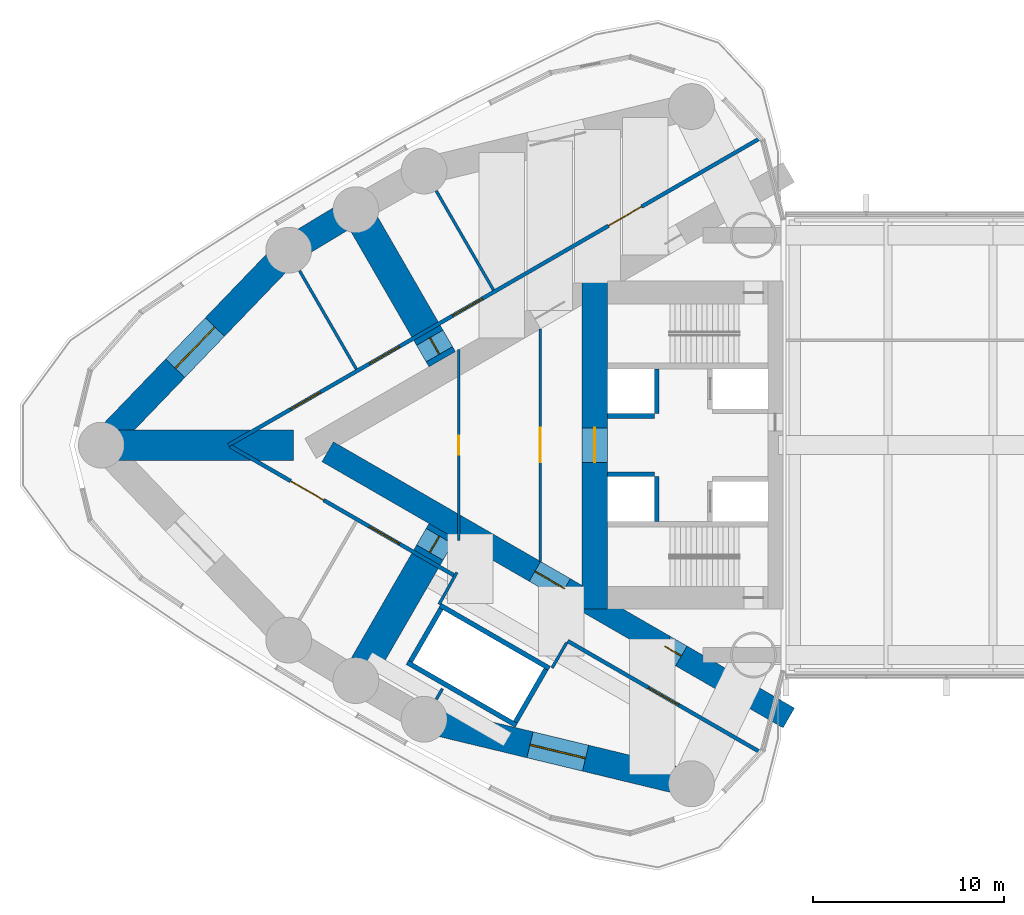
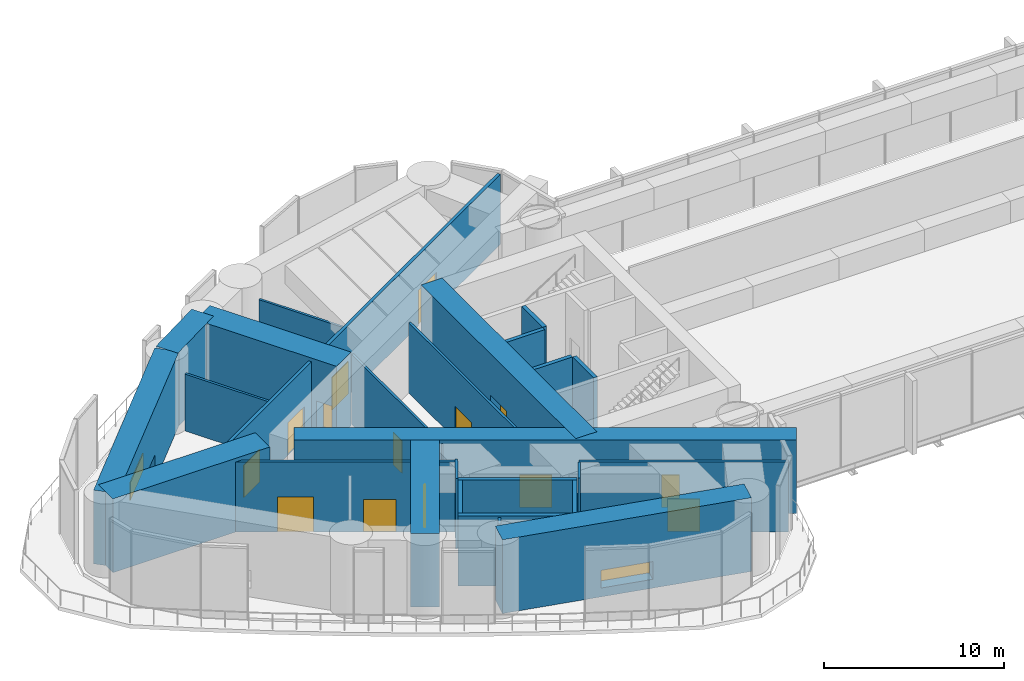
# One storey, part 15 of 22: 26 walls, 14 doors, 2 windows, 16 openings.
"""IFC4 building model written with IfcOpenShell, lengths in metres."""

from ifc_helpers import new_model, si_unit, direction, frame, frame_2d, origin, place, context, subcontext, project, spatial, rectangle, extrude, material, layer, layer_set, type_object, element, fill, save


model = new_model("IFC4")

# Units and contexts
model_context = context("Model", 3, precision=1e-05, world=origin(), true_north=direction((0.0, 1.0)))
body_context = subcontext(model_context, "Body", "Model", "MODEL_VIEW")
ifc_project = project(units=[si_unit("LENGTHUNIT", "METRE"), si_unit("AREAUNIT", "SQUARE_METRE"), si_unit("VOLUMEUNIT", "CUBIC_METRE"), si_unit("PLANEANGLEUNIT", "RADIAN"), si_unit("MASSUNIT", "GRAM", prefix="KILO")], contexts=[model_context])

# Site, building, storey
site_placement = place(None, origin())
site = spatial("IfcSite", under=ifc_project, at=site_placement, CompositionType="ELEMENT")
building_placement = place(site_placement, origin())
building = spatial("IfcBuilding", under=site, at=building_placement, Name="Lancet Gate Hotel", CompositionType="ELEMENT")
storey_placement = place(building_placement, frame((0.0, 0.0, 210.300048828125)))
storey = spatial("IfcBuildingStorey", under=building, at=storey_placement, Name="L56", CompositionType="ELEMENT", Elevation=210.300048828125)

# Wall
ifc_material_1 = material(Name="Concrete C80/95", Category="concrete")
ifc_layer_1 = layer(ifc_material_1, 1.39990234375)
ifc_layer_set_1 = layer_set([ifc_layer_1], Name="Belt wall 1400")
wall_type_1 = type_object("IfcWallType", Name="Belt wall 1400", PredefinedType="SHEAR", material=ifc_layer_set_1)
wall_1_placement = place(storey_placement, frame((-49.89013671875, 12.340087890625, 0.0), z_axis=(0.0, 0.0, 1.0), x_axis=(-0.856358061538, -0.516382484636, 0.0)))
element("IfcWall", 1, at=wall_1_placement, inside=storey, type_object=wall_type_1, Name="T1 belt wall OS2-OS3 L56", PredefinedType="SHEAR", context=body_context, shape_type="SweptSolid", body=[
    extrude(rectangle(XDim=4.107666015625, YDim=1.39990234375, at=frame_2d((2.0537109375, 0.0))), origin(), (0.0, 0.0, 1.0), 5.0),
])

# Wall, opening, window
wall_2_placement = place(storey_placement, frame((-53.40771484375, 10.218994140625, 0.0), z_axis=(0.0, 0.0, 1.0), x_axis=(-0.693134527053, -0.720808245934, 0.0)))
wall_2 = element("IfcWall", 2, at=wall_2_placement, inside=storey, type_object=wall_type_1, Name="T1 belt wall OS3-CA L56", PredefinedType="SHEAR", context=body_context, shape_type="SweptSolid", body=[
    extrude(rectangle(XDim=14.17724609375, YDim=1.39990234375, at=frame_2d((7.088623046875, 0.0))), origin(), (0.0, 0.0, 1.0), 5.0),
])
opening_1_placement = place(wall_2_placement, frame((5.588623046875, 0.0, 0.60009765625)))
opening_1 = element("IfcOpeningElement", 3, at=opening_1_placement, cuts=wall_2, Name="Opening LV1", PredefinedType="OPENING", context=body_context, shape_type="SweptSolid", body=[
    extrude(rectangle(XDim=3.0, YDim=1.199951171875, at=frame_2d((1.5, 0.60009765625))), frame((0.0, 0.7099609375, 0.0), z_axis=(0.0, -1.0, 0.0), x_axis=(1.0, 0.0, 0.0)), (0.0, 0.0, 1.0), 1.419921875),
])
ifc_material_2 = material(Name="Aluminium weather louvre", Category="aluminium")
window_type = type_object("IfcWindowType", Name="Refuge louvre 3000x1200", PartitioningType="SINGLE_PANEL", PredefinedType="WINDOW", material=ifc_material_2)
window_1_placement = place(opening_1_placement, origin())
window_1 = element("IfcWindow", 4, at=window_1_placement, inside=storey, type_object=window_type, Name="T1 belt louvre OS3-CA L56", OverallHeight=1.199951171875, OverallWidth=3.0, PartitioningType="SINGLE_PANEL", PredefinedType="WINDOW", context=body_context, shape_type="SweptSolid", body=[
    extrude(rectangle(XDim=3.0, YDim=1.199951171875, at=frame_2d((1.5, 0.60009765625))), frame((0.0, 0.030029296875, 0.0), z_axis=(0.0, -1.0, 0.0), x_axis=(1.0, 0.0, 0.0)), (0.0, 0.0, 1.0), 0.06005859375),
])
fill(opening_1, window_1)

wall_3_placement = place(storey_placement, frame((-46.316650390625, -14.365478515625, 0.0), z_axis=(0.0, 0.0, 1.0), x_axis=(0.972132796948, -0.234430853556, 0.0)))
wall_3 = element("IfcWall", 5, at=wall_3_placement, inside=storey, type_object=wall_type_1, Name="T1 belt wall ON3-CN L56", PredefinedType="SHEAR", context=body_context, shape_type="SweptSolid", body=[
    extrude(rectangle(XDim=14.41748046875, YDim=1.39990234375, at=frame_2d((7.208740234375, 0.0))), origin(), (0.0, 0.0, 1.0), 5.0),
])
opening_2_placement = place(wall_3_placement, frame((5.708740234375, 0.0, 0.60009765625)))
opening_2 = element("IfcOpeningElement", 6, at=opening_2_placement, cuts=wall_3, Name="Opening LV1", PredefinedType="OPENING", context=body_context, shape_type="SweptSolid", body=[
    extrude(rectangle(XDim=3.0, YDim=1.199951171875, at=frame_2d((1.5, 0.60009765625))), frame((0.0, 0.7099609375, 0.0), z_axis=(0.0, -1.0, 0.0), x_axis=(1.0, 0.0, 0.0)), (0.0, 0.0, 1.0), 1.419921875),
])
window_2_placement = place(opening_2_placement, origin())
window_2 = element("IfcWindow", 7, at=window_2_placement, inside=storey, type_object=window_type, Name="T1 belt louvre ON3-CN L56", OverallHeight=1.199951171875, OverallWidth=3.0, PartitioningType="SINGLE_PANEL", PredefinedType="WINDOW", context=body_context, shape_type="SweptSolid", body=[
    extrude(rectangle(XDim=3.0, YDim=1.199951171875, at=frame_2d((1.5, 0.60009765625))), frame((0.0, 0.030029296875, 0.0), z_axis=(0.0, -1.0, 0.0), x_axis=(1.0, 0.0, 0.0)), (0.0, 0.0, 1.0), 0.06005859375),
])
fill(opening_2, window_2)

# Wall, openings, doors
ifc_material_3 = material(Name="Concrete C70/85", Category="concrete")
ifc_layer_2 = layer(ifc_material_3, 1.199951171875)
ifc_layer_set_2 = layer_set([ifc_layer_2], Name="Buttress wall 1200")
wall_type_2 = type_object("IfcWallType", Name="Buttress wall 1200", PredefinedType="SHEAR", material=ifc_layer_set_2)
wall_4_placement = place(storey_placement, frame((-27.199951171875, -14.300048828125, 0.0), z_axis=(0.0, 0.0, 1.0), x_axis=(-0.866024021859, 0.500002393557, 0.0)))
wall_4 = element("IfcWall", 8, at=wall_4_placement, inside=storey, type_object=wall_type_2, Name="T1 buttress wall N L56", PredefinedType="SHEAR", context=body_context, shape_type="SweptSolid", body=[
    extrude(rectangle(XDim=27.906982421875, YDim=1.199951171875, at=frame_2d((13.95361328125, 0.0))), origin(), (0.0, 0.0, 1.0), 5.0),
])
opening_3_placement = place(wall_4_placement, frame((6.5, 0.0, 0.0)))
opening_3 = element("IfcOpeningElement", 9, at=opening_3_placement, cuts=wall_4, Name="Opening T1-L56-LN", PredefinedType="OPENING", context=body_context, shape_type="SweptSolid", body=[
    extrude(rectangle(XDim=1.0, YDim=2.199951171875, at=frame_2d((0.5, 1.10009765625))), frame((0.0, 0.60986328125, 0.0), z_axis=(0.0, -1.0, 0.0), x_axis=(1.0, 0.0, 0.0)), (0.0, 0.0, 1.0), 1.219970703125),
])
opening_4_placement = place(wall_4_placement, frame((13.567626953125, 0.0, 0.0)))
opening_4 = element("IfcOpeningElement", 10, at=opening_4_placement, cuts=wall_4, Name="Opening T1-L56-LHN", PredefinedType="OPENING", context=body_context, shape_type="SweptSolid", body=[
    extrude(rectangle(XDim=1.800048828125, YDim=2.199951171875, at=frame_2d((0.89990234375, 1.10009765625))), frame((0.0, 0.60986328125, 0.0), z_axis=(0.0, -1.0, 0.0), x_axis=(1.0, 0.0, 0.0)), (0.0, 0.0, 1.0), 1.219970703125),
])
ifc_material_4 = material(Name="Timber door set", Category="wood")
door_type_1 = type_object("IfcDoorType", Name="Lobby double door 1800", OperationType="DOUBLE_DOOR_SINGLE_SWING", PredefinedType="DOOR", material=ifc_material_4)
door_1_placement = place(opening_4_placement, origin())
door_1 = element("IfcDoor", 11, at=door_1_placement, inside=storey, type_object=door_type_1, Name="T1-L56-LHN", OperationType="DOUBLE_DOOR_SINGLE_SWING", OverallHeight=2.199951171875, OverallWidth=1.800048828125, PredefinedType="DOOR", context=body_context, shape_type="SweptSolid", body=[
    extrude(rectangle(XDim=1.800048828125, YDim=2.199951171875, at=frame_2d((0.89990234375, 1.10009765625))), frame((0.0, 0.02490234375, 0.0), z_axis=(0.0, -1.0, 0.0), x_axis=(1.0, 0.0, 0.0)), (0.0, 0.0, 1.0), 0.050048828125),
])
fill(opening_4, door_1)
ifc_material_5 = material(Name="Timber door set", Category="wood")
door_type_2 = type_object("IfcDoorType", Name="Stair lobby door 1000", OperationType="SINGLE_SWING_LEFT", PredefinedType="DOOR", material=ifc_material_5)
door_2_placement = place(opening_3_placement, origin())
door_2 = element("IfcDoor", 12, at=door_2_placement, inside=storey, type_object=door_type_2, Name="T1-L56-LN", OperationType="SINGLE_SWING_LEFT", OverallHeight=2.199951171875, OverallWidth=1.0, PredefinedType="DOOR", context=body_context, shape_type="SweptSolid", body=[
    extrude(rectangle(XDim=1.0, YDim=2.199951171875, at=frame_2d((0.5, 1.10009765625))), frame((0.0, 0.02490234375, 0.0), z_axis=(0.0, -1.0, 0.0), x_axis=(1.0, 0.0, 0.0)), (0.0, 0.0, 1.0), 0.050048828125),
])
fill(opening_3, door_2)

# Wall, opening, door
ifc_material_6 = material(Name="Concrete C70/85", Category="concrete")
ifc_layer_3 = layer(ifc_material_6, 1.35009765625)
ifc_layer_set_3 = layer_set([ifc_layer_3], Name="Core back wall 1350, outrigger storeys")
wall_type_3 = type_object("IfcWallType", Name="Core back wall 1350, outrigger storeys", PredefinedType="SHEAR", material=ifc_layer_set_3)
wall_5_placement = place(storey_placement, frame((-37.375, 8.60009765625, 0.0), z_axis=(0.0, 0.0, 1.0), x_axis=(0.0, -1.0, 0.0)))
wall_5 = element("IfcWall", 13, at=wall_5_placement, inside=storey, type_object=wall_type_3, Name="T1 core wall back L56", PredefinedType="SHEAR", context=body_context, shape_type="SweptSolid", body=[
    extrude(rectangle(XDim=17.2001953125, YDim=1.35009765625, at=frame_2d((8.60009765625, 0.0))), origin(), (0.0, 0.0, 1.0), 5.0),
])
opening_5_placement = place(wall_5_placement, frame((7.699951171875, 0.0, 0.0)))
opening_5 = element("IfcOpeningElement", 14, at=opening_5_placement, cuts=wall_5, Name="Opening T1-L56-LL", PredefinedType="OPENING", context=body_context, shape_type="SweptSolid", body=[
    extrude(rectangle(XDim=1.800048828125, YDim=2.199951171875, at=frame_2d((0.89990234375, 1.10009765625))), frame((0.0, 0.68505859375, 0.0), z_axis=(0.0, -1.0, 0.0), x_axis=(1.0, 0.0, 0.0)), (0.0, 0.0, 1.0), 1.3701171875),
])
door_3_placement = place(opening_5_placement, origin())
door_3 = element("IfcDoor", 15, at=door_3_placement, inside=storey, type_object=door_type_1, Name="T1-L56-LL", OperationType="DOUBLE_DOOR_SINGLE_SWING", OverallHeight=2.199951171875, OverallWidth=1.800048828125, PredefinedType="DOOR", context=body_context, shape_type="SweptSolid", body=[
    extrude(rectangle(XDim=1.800048828125, YDim=2.199951171875, at=frame_2d((0.89990234375, 1.10009765625))), frame((0.0, 0.02490234375, 0.0), z_axis=(0.0, -1.0, 0.0), x_axis=(1.0, 0.0, 0.0)), (0.0, 0.0, 1.0), 0.050048828125),
])
fill(opening_5, door_3)

# Wall, openings, doors
ifc_material_7 = material(Name="Gypsum board partition")
ifc_layer_4 = layer(ifc_material_7, 0.199951171875)
ifc_layer_set_4 = layer_set([ifc_layer_4], Name="Corridor wall 200")
wall_type_4 = type_object("IfcWallType", Name="Corridor wall 200", PredefinedType="PARTITIONING", material=ifc_layer_set_4)
wall_6_placement = place(storey_placement, frame((-28.737060546875, 16.068359375, 0.0), z_axis=(0.0, 0.0, 1.0), x_axis=(-0.866026057212, -0.499998868229, 0.0)))
wall_6 = element("IfcWall", 16, at=wall_6_placement, inside=storey, type_object=wall_type_4, Name="T1 corridor wall 200 L56", PredefinedType="PARTITIONING", context=body_context, shape_type="SweptSolid", body=[
    extrude(rectangle(XDim=32.13671875, YDim=0.199951171875, at=frame_2d((16.068359375, 0.0))), origin(), (0.0, 0.0, 1.0), 4.75),
])
opening_6_placement = place(wall_6_placement, frame((7.1337890625, 0.0, 0.0)))
opening_6 = element("IfcOpeningElement", 17, at=opening_6_placement, cuts=wall_6, Name="Opening T1-L56-TB01", PredefinedType="OPENING", context=body_context, shape_type="SweptSolid", body=[
    extrude(rectangle(XDim=2.0, YDim=2.39990234375, at=frame_2d((1.0, 1.199951171875))), frame((0.0, 0.10986328125, 0.0), z_axis=(0.0, -1.0, 0.0), x_axis=(1.0, 0.0, 0.0)), (0.0, 0.0, 1.0), 0.219970703125),
])
opening_7_placement = place(wall_6_placement, frame((16.775634765625, 0.0, 0.0)))
opening_7 = element("IfcOpeningElement", 18, at=opening_7_placement, cuts=wall_6, Name="Opening T1-L56-TB02", PredefinedType="OPENING", context=body_context, shape_type="SweptSolid", body=[
    extrude(rectangle(XDim=1.800048828125, YDim=2.199951171875, at=frame_2d((0.89990234375, 1.10009765625))), frame((0.0, 0.10986328125, 0.0), z_axis=(0.0, -1.0, 0.0), x_axis=(1.0, 0.0, 0.0)), (0.0, 0.0, 1.0), 0.219970703125),
])
opening_8_placement = place(wall_6_placement, frame((21.79931640625, 0.0, 0.0)))
opening_8 = element("IfcOpeningElement", 19, at=opening_8_placement, cuts=wall_6, Name="Opening T1-L56-TB03", PredefinedType="OPENING", context=body_context, shape_type="SweptSolid", body=[
    extrude(rectangle(XDim=1.800048828125, YDim=2.199951171875, at=frame_2d((0.89990234375, 1.10009765625))), frame((0.0, 0.10986328125, 0.0), z_axis=(0.0, -1.0, 0.0), x_axis=(1.0, 0.0, 0.0)), (0.0, 0.0, 1.0), 0.219970703125),
])
opening_9_placement = place(wall_6_placement, frame((26.5751953125, 0.0, 0.0)))
opening_9 = element("IfcOpeningElement", 20, at=opening_9_placement, cuts=wall_6, Name="Opening T1-L56-TB04", PredefinedType="OPENING", context=body_context, shape_type="SweptSolid", body=[
    extrude(rectangle(XDim=1.800048828125, YDim=2.199951171875, at=frame_2d((0.89990234375, 1.10009765625))), frame((0.0, 0.10986328125, 0.0), z_axis=(0.0, -1.0, 0.0), x_axis=(1.0, 0.0, 0.0)), (0.0, 0.0, 1.0), 0.219970703125),
])
ifc_material_8 = material(Name="Timber door set", Category="wood")
door_type_3 = type_object("IfcDoorType", Name="Double door 1800", OperationType="DOUBLE_DOOR_SINGLE_SWING", PredefinedType="DOOR", material=ifc_material_8)
door_4_placement = place(opening_7_placement, origin())
door_4 = element("IfcDoor", 21, at=door_4_placement, inside=storey, type_object=door_type_3, Name="T1-L56-TB02", OperationType="DOUBLE_DOOR_SINGLE_SWING", OverallHeight=2.199951171875, OverallWidth=1.800048828125, PredefinedType="DOOR", context=body_context, shape_type="SweptSolid", body=[
    extrude(rectangle(XDim=1.800048828125, YDim=2.199951171875, at=frame_2d((0.89990234375, 1.10009765625))), frame((0.0, 0.02490234375, 0.0), z_axis=(0.0, -1.0, 0.0), x_axis=(1.0, 0.0, 0.0)), (0.0, 0.0, 1.0), 0.050048828125),
])
fill(opening_7, door_4)
door_5_placement = place(opening_8_placement, origin())
door_5 = element("IfcDoor", 22, at=door_5_placement, inside=storey, type_object=door_type_3, Name="T1-L56-TB03", OperationType="DOUBLE_DOOR_SINGLE_SWING", OverallHeight=2.199951171875, OverallWidth=1.800048828125, PredefinedType="DOOR", context=body_context, shape_type="SweptSolid", body=[
    extrude(rectangle(XDim=1.800048828125, YDim=2.199951171875, at=frame_2d((0.89990234375, 1.10009765625))), frame((0.0, 0.02490234375, 0.0), z_axis=(0.0, -1.0, 0.0), x_axis=(1.0, 0.0, 0.0)), (0.0, 0.0, 1.0), 0.050048828125),
])
fill(opening_8, door_5)
door_6_placement = place(opening_9_placement, origin())
door_6 = element("IfcDoor", 23, at=door_6_placement, inside=storey, type_object=door_type_3, Name="T1-L56-TB04", OperationType="DOUBLE_DOOR_SINGLE_SWING", OverallHeight=2.199951171875, OverallWidth=1.800048828125, PredefinedType="DOOR", context=body_context, shape_type="SweptSolid", body=[
    extrude(rectangle(XDim=1.800048828125, YDim=2.199951171875, at=frame_2d((0.89990234375, 1.10009765625))), frame((0.0, 0.02490234375, 0.0), z_axis=(0.0, -1.0, 0.0), x_axis=(1.0, 0.0, 0.0)), (0.0, 0.0, 1.0), 0.050048828125),
])
fill(opening_9, door_6)
ifc_material_9 = material(Name="Timber door set", Category="wood")
door_type_4 = type_object("IfcDoorType", Name="Plant room double door 2000", OperationType="DOUBLE_DOOR_SINGLE_SWING", PredefinedType="DOOR", material=ifc_material_9)
door_7_placement = place(opening_6_placement, origin())
door_7 = element("IfcDoor", 24, at=door_7_placement, inside=storey, type_object=door_type_4, Name="T1-L56-TB01", OperationType="DOUBLE_DOOR_SINGLE_SWING", OverallHeight=2.39990234375, OverallWidth=2.0, PredefinedType="DOOR", context=body_context, shape_type="SweptSolid", body=[
    extrude(rectangle(XDim=2.0, YDim=2.39990234375, at=frame_2d((1.0, 1.199951171875))), frame((0.0, 0.02490234375, 0.0), z_axis=(0.0, -1.0, 0.0), x_axis=(1.0, 0.0, 0.0)), (0.0, 0.0, 1.0), 0.050048828125),
])
fill(opening_6, door_7)

# Wall, opening, door
wall_7_placement = place(storey_placement, frame((-28.737060546875, -16.068359375, 0.0), z_axis=(0.0, 0.0, 1.0), x_axis=(-0.866029399323, 0.49999307946, 0.0)))
wall_7 = element("IfcWall", 25, at=wall_7_placement, inside=storey, type_object=wall_type_4, Name="T1 corridor wall 200 L56", PredefinedType="PARTITIONING", context=body_context, shape_type="SweptSolid", body=[
    extrude(rectangle(XDim=11.609619140625, YDim=0.199951171875, at=frame_2d((5.8046875, 0.0))), origin(), (0.0, 0.0, 1.0), 4.75),
])
opening_10_placement = place(wall_7_placement, frame((4.90478515625, 0.0, 0.0)))
opening_10 = element("IfcOpeningElement", 26, at=opening_10_placement, cuts=wall_7, Name="Opening T1-L56-TB08", PredefinedType="OPENING", context=body_context, shape_type="SweptSolid", body=[
    extrude(rectangle(XDim=1.800048828125, YDim=2.199951171875, at=frame_2d((0.89990234375, 1.10009765625))), frame((0.0, 0.10986328125, 0.0), z_axis=(0.0, -1.0, 0.0), x_axis=(1.0, 0.0, 0.0)), (0.0, 0.0, 1.0), 0.219970703125),
])
door_8_placement = place(opening_10_placement, origin())
door_8 = element("IfcDoor", 27, at=door_8_placement, inside=storey, type_object=door_type_3, Name="T1-L56-TB08", OperationType="DOUBLE_DOOR_SINGLE_SWING", OverallHeight=2.199951171875, OverallWidth=1.800048828125, PredefinedType="DOOR", context=body_context, shape_type="SweptSolid", body=[
    extrude(rectangle(XDim=1.800048828125, YDim=2.199951171875, at=frame_2d((0.89990234375, 1.10009765625))), frame((0.0, 0.02490234375, 0.0), z_axis=(0.0, -1.0, 0.0), x_axis=(1.0, 0.0, 0.0)), (0.0, 0.0, 1.0), 0.050048828125),
])
fill(opening_10, door_8)

# Wall, openings, doors
wall_8_placement = place(storey_placement, frame((-44.715087890625, -6.843505859375, 0.0), z_axis=(0.0, 0.0, 1.0), x_axis=(-0.866025261224, 0.500000246922, 0.0)))
wall_8 = element("IfcWall", 28, at=wall_8_placement, inside=storey, type_object=wall_type_4, Name="T1 corridor wall 200 L56", PredefinedType="PARTITIONING", context=body_context, shape_type="SweptSolid", body=[
    extrude(rectangle(XDim=13.56689453125, YDim=0.199951171875, at=frame_2d((6.783447265625, 0.0))), origin(), (0.0, 0.0, 1.0), 4.75),
])
opening_11_placement = place(wall_8_placement, frame((7.925048828125, 0.0, 0.0)))
opening_11 = element("IfcOpeningElement", 29, at=opening_11_placement, cuts=wall_8, Name="Opening T1-L56-TB05", PredefinedType="OPENING", context=body_context, shape_type="SweptSolid", body=[
    extrude(rectangle(XDim=2.0, YDim=2.39990234375, at=frame_2d((1.0, 1.199951171875))), frame((0.0, 0.10986328125, 0.0), z_axis=(0.0, -1.0, 0.0), x_axis=(1.0, 0.0, 0.0)), (0.0, 0.0, 1.0), 0.219970703125),
])
opening_12_placement = place(wall_8_placement, frame((3.349365234375, 0.0, 0.0)))
opening_12 = element("IfcOpeningElement", 30, at=opening_12_placement, cuts=wall_8, Name="Opening T1-L56-TB06", PredefinedType="OPENING", context=body_context, shape_type="SweptSolid", body=[
    extrude(rectangle(XDim=1.800048828125, YDim=2.199951171875, at=frame_2d((0.89990234375, 1.10009765625))), frame((0.0, 0.10986328125, 0.0), z_axis=(0.0, -1.0, 0.0), x_axis=(1.0, 0.0, 0.0)), (0.0, 0.0, 1.0), 0.219970703125),
])
door_9_placement = place(opening_12_placement, origin())
door_9 = element("IfcDoor", 31, at=door_9_placement, inside=storey, type_object=door_type_3, Name="T1-L56-TB06", OperationType="DOUBLE_DOOR_SINGLE_SWING", OverallHeight=2.199951171875, OverallWidth=1.800048828125, PredefinedType="DOOR", context=body_context, shape_type="SweptSolid", body=[
    extrude(rectangle(XDim=1.800048828125, YDim=2.199951171875, at=frame_2d((0.89990234375, 1.10009765625))), frame((0.0, 0.02490234375, 0.0), z_axis=(0.0, -1.0, 0.0), x_axis=(1.0, 0.0, 0.0)), (0.0, 0.0, 1.0), 0.050048828125),
])
fill(opening_12, door_9)
door_10_placement = place(opening_11_placement, origin())
door_10 = element("IfcDoor", 32, at=door_10_placement, inside=storey, type_object=door_type_4, Name="T1-L56-TB05", OperationType="DOUBLE_DOOR_SINGLE_SWING", OverallHeight=2.39990234375, OverallWidth=2.0, PredefinedType="DOOR", context=body_context, shape_type="SweptSolid", body=[
    extrude(rectangle(XDim=2.0, YDim=2.39990234375, at=frame_2d((1.0, 1.199951171875))), frame((0.0, 0.02490234375, 0.0), z_axis=(0.0, -1.0, 0.0), x_axis=(1.0, 0.0, 0.0)), (0.0, 0.0, 1.0), 0.050048828125),
])
fill(opening_11, door_10)

# Walls
ifc_material_10 = material(Name="Gypsum board partition")
ifc_layer_5 = layer(ifc_material_10, 0.25)
ifc_layer_set_5 = layer_set([ifc_layer_5], Name="Lift shaft partition 250")
wall_type_5 = type_object("IfcWallType", Name="Lift shaft partition 250", PredefinedType="PARTITIONING", material=ifc_layer_set_5)
wall_9_placement = place(storey_placement, frame((-39.757568359375, -11.697265625, 0.0), z_axis=(0.0, 0.0, 1.0), x_axis=(-0.866024194504, 0.500002094529, 0.0)))
element("IfcWall", 33, at=wall_9_placement, inside=storey, type_object=wall_type_5, Name="T1 lift shaft wall HL L56", PredefinedType="PARTITIONING", context=body_context, shape_type="SweptSolid", body=[
    extrude(rectangle(XDim=6.60009765625, YDim=0.25, at=frame_2d((3.300048828125, 0.0))), origin(), (0.0, 0.0, 1.0), 4.75),
])
wall_10_placement = place(storey_placement, frame((-41.482421875, -14.685791015625, 0.0), z_axis=(0.0, 0.0, 1.0), x_axis=(-0.86603344179, 0.499986077507, 0.0)))
element("IfcWall", 34, at=wall_10_placement, inside=storey, type_object=wall_type_5, Name="T1 lift shaft wall HL L56", PredefinedType="PARTITIONING", context=body_context, shape_type="SweptSolid", body=[
    extrude(rectangle(XDim=6.600341796875, YDim=0.25, at=frame_2d((3.30029296875, 0.0))), origin(), (0.0, 0.0, 1.0), 4.75),
])
for number, where, z_axis, x_axis, name in (
    (35, (-39.92822265625, -11.742919921875, 0.0), (0.0, 0.0, 1.0), (-0.499929347863, -0.866066190972, 0.0), "T1 lift shaft wall HL L56"),
    (36, (-45.427734375, -8.568115234375, 0.0), (0.0, 0.0, 1.0), (-0.499929347863, -0.866066190972, 0.0), "T1 lift shaft wall HL L56"),
):
    element("IfcWall", number, at=place(storey_placement, frame(where, z_axis=z_axis, x_axis=x_axis)), inside=storey, type_object=wall_type_5, Name=name, PredefinedType="PARTITIONING", context=body_context, shape_type="SweptSolid", body=[
        extrude(rectangle(XDim=3.20068359375, YDim=0.25, at=frame_2d((1.600341796875, 0.0))), origin(), (0.0, 0.0, 1.0), 4.75),
    ])
ifc_material_11 = material(Name="Concrete C50/60", Category="concrete")
ifc_layer_6 = layer(ifc_material_11, 0.25)
ifc_layer_set_6 = layer_set([ifc_layer_6], Name="Lift shaft wall 250")
wall_type_6 = type_object("IfcWallType", Name="Lift shaft wall 250", PredefinedType="SHEAR", material=ifc_layer_set_6)
wall_11_placement = place(storey_placement, frame((-34.125, 4.0, 0.0), z_axis=(0.0, 0.0, 1.0), x_axis=(0.0, -1.0, 0.0)))
element("IfcWall", 37, at=wall_11_placement, inside=storey, type_object=wall_type_6, Name="T1 core wall row2-S L56", PredefinedType="SHEAR", context=body_context, shape_type="SweptSolid", body=[
    extrude(rectangle(XDim=2.35009765625, YDim=0.25, at=frame_2d((1.175048828125, 0.0))), origin(), (0.0, 0.0, 1.0), 5.0),
])
wall_12_placement = place(storey_placement, frame((-34.25, 1.52490234375, 0.0), z_axis=(0.0, 0.0, 1.0), x_axis=(-1.0, 0.0, 0.0)))
element("IfcWall", 38, at=wall_12_placement, inside=storey, type_object=wall_type_6, Name="T1 core wall pass2-S L56", PredefinedType="SHEAR", context=body_context, shape_type="SweptSolid", body=[
    extrude(rectangle(XDim=2.449951171875, YDim=0.25, at=frame_2d((1.22509765625, 0.0))), origin(), (0.0, 0.0, 1.0), 5.0),
])
wall_13_placement = place(storey_placement, frame((-34.125, -1.64990234375, 0.0), z_axis=(0.0, 0.0, 1.0), x_axis=(0.0, -1.0, 0.0)))
element("IfcWall", 39, at=wall_13_placement, inside=storey, type_object=wall_type_6, Name="T1 core wall row2-N L56", PredefinedType="SHEAR", context=body_context, shape_type="SweptSolid", body=[
    extrude(rectangle(XDim=2.35009765625, YDim=0.25, at=frame_2d((1.175048828125, 0.0))), origin(), (0.0, 0.0, 1.0), 5.0),
])
wall_14_placement = place(storey_placement, frame((-34.25, -1.52490234375, 0.0), z_axis=(0.0, 0.0, 1.0), x_axis=(-1.0, 0.0, 0.0)))
element("IfcWall", 40, at=wall_14_placement, inside=storey, type_object=wall_type_6, Name="T1 core wall pass2-N L56", PredefinedType="SHEAR", context=body_context, shape_type="SweptSolid", body=[
    extrude(rectangle(XDim=2.449951171875, YDim=0.25, at=frame_2d((1.22509765625, 0.0))), origin(), (0.0, 0.0, 1.0), 5.0),
])

# Wall, opening, door
ifc_material_12 = material(Name="Concrete C80/95", Category="concrete")
ifc_layer_7 = layer(ifc_material_12, 1.60009765625)
ifc_layer_set_7 = layer_set([ifc_layer_7], Name="Outrigger wall 1600")
wall_type_7 = type_object("IfcWallType", Name="Outrigger wall 1600", PredefinedType="SHEAR", material=ifc_layer_set_7)
wall_15_placement = place(storey_placement, frame((-45.3662109375, 4.50439453125, 0.0), z_axis=(0.0, 0.0, 1.0), x_axis=(-0.499998848701, 0.866026068486, 0.0)))
wall_15 = element("IfcWall", 41, at=wall_15_placement, inside=storey, type_object=wall_type_7, Name="T1 outrigger wall OS2 L56", PredefinedType="SHEAR", context=body_context, shape_type="SweptSolid", body=[
    extrude(rectangle(XDim=9.0478515625, YDim=1.60009765625, at=frame_2d((4.52392578125, 0.0))), origin(), (0.0, 0.0, 1.0), 5.0),
])
opening_13_placement = place(wall_15_placement, frame((0.300048828125, 0.0, 0.0)))
opening_13 = element("IfcOpeningElement", 42, at=opening_13_placement, cuts=wall_15, Name="Opening T1-L56-LSO", PredefinedType="OPENING", context=body_context, shape_type="SweptSolid", body=[
    extrude(rectangle(XDim=1.0, YDim=2.199951171875, at=frame_2d((0.5, 1.10009765625))), frame((0.0, 0.81005859375, 0.0), z_axis=(0.0, -1.0, 0.0), x_axis=(1.0, 0.0, 0.0)), (0.0, 0.0, 1.0), 1.6201171875),
])
ifc_material_13 = material(Name="Timber door set", Category="wood")
door_type_5 = type_object("IfcDoorType", Name="Corridor door 1000", OperationType="SINGLE_SWING_LEFT", PredefinedType="DOOR", material=ifc_material_13)
door_11_placement = place(opening_13_placement, origin())
door_11 = element("IfcDoor", 43, at=door_11_placement, inside=storey, type_object=door_type_5, Name="T1-L56-LSO", OperationType="SINGLE_SWING_LEFT", OverallHeight=2.199951171875, OverallWidth=1.0, PredefinedType="DOOR", context=body_context, shape_type="SweptSolid", body=[
    extrude(rectangle(XDim=1.0, YDim=2.199951171875, at=frame_2d((0.5, 1.10009765625))), frame((0.0, 0.02490234375, 0.0), z_axis=(0.0, -1.0, 0.0), x_axis=(1.0, 0.0, 0.0)), (0.0, 0.0, 1.0), 0.050048828125),
])
fill(opening_13, door_11)

# Wall
wall_16_placement = place(storey_placement, frame((-53.168212890625, 0.0, 0.0), z_axis=(0.0, 0.0, 1.0), x_axis=(-1.0, 0.0, 0.0)))
element("IfcWall", 44, at=wall_16_placement, inside=storey, type_object=wall_type_7, Name="T1 outrigger wall CA L56", PredefinedType="SHEAR", context=body_context, shape_type="SweptSolid", body=[
    extrude(rectangle(XDim=10.066162109375, YDim=1.60009765625, at=frame_2d((5.033203125, 0.0))), origin(), (0.0, 0.0, 1.0), 5.0),
])

# Wall, opening, door
wall_17_placement = place(storey_placement, frame((-45.3662109375, -4.50439453125, 0.0), z_axis=(0.0, 0.0, 1.0), x_axis=(-0.499998848701, -0.866026068486, 0.0)))
wall_17 = element("IfcWall", 45, at=wall_17_placement, inside=storey, type_object=wall_type_7, Name="T1 outrigger wall ON2 L56", PredefinedType="SHEAR", context=body_context, shape_type="SweptSolid", body=[
    extrude(rectangle(XDim=9.0478515625, YDim=1.60009765625, at=frame_2d((4.52392578125, 0.0))), origin(), (0.0, 0.0, 1.0), 5.0),
])
opening_14_placement = place(wall_17_placement, frame((0.300048828125, 0.0, 0.0)))
opening_14 = element("IfcOpeningElement", 46, at=opening_14_placement, cuts=wall_17, Name="Opening T1-L56-LNO", PredefinedType="OPENING", context=body_context, shape_type="SweptSolid", body=[
    extrude(rectangle(XDim=1.0, YDim=2.199951171875, at=frame_2d((0.5, 1.10009765625))), frame((0.0, 0.81005859375, 0.0), z_axis=(0.0, -1.0, 0.0), x_axis=(1.0, 0.0, 0.0)), (0.0, 0.0, 1.0), 1.6201171875),
])
door_12_placement = place(opening_14_placement, origin())
door_12 = element("IfcDoor", 47, at=door_12_placement, inside=storey, type_object=door_type_5, Name="T1-L56-LNO", OperationType="SINGLE_SWING_LEFT", OverallHeight=2.199951171875, OverallWidth=1.0, PredefinedType="DOOR", context=body_context, shape_type="SweptSolid", body=[
    extrude(rectangle(XDim=1.0, YDim=2.199951171875, at=frame_2d((0.5, 1.10009765625))), frame((0.0, 0.02490234375, 0.0), z_axis=(0.0, -1.0, 0.0), x_axis=(1.0, 0.0, 0.0)), (0.0, 0.0, 1.0), 0.050048828125),
])
fill(opening_14, door_12)

# Walls
ifc_material_14 = material(Name="Gypsum board partition")
ifc_layer_8 = layer(ifc_material_14, 0.14990234375)
ifc_layer_set_8 = layer_set([ifc_layer_8], Name="Party wall 150")
wall_type_8 = type_object("IfcWallType", Name="Party wall 150", PredefinedType="PARTITIONING", material=ifc_layer_set_8)
wall_18_placement = place(storey_placement, frame((-42.680419921875, 8.133544921875, 0.0), z_axis=(0.0, 0.0, 1.0), x_axis=(-0.499984479505, 0.866034364361, 0.0)))
element("IfcWall", 48, at=wall_18_placement, inside=storey, type_object=wall_type_8, Name="T1 party wall 150 L56", PredefinedType="PARTITIONING", context=body_context, shape_type="SweptSolid", body=[
    extrude(rectangle(XDim=5.995361328125, YDim=0.14990234375, at=frame_2d((2.99755859375, 0.0))), origin(), (0.0, 0.0, 1.0), 3.849853515625),
])
wall_19_placement = place(storey_placement, frame((-49.866455078125, 3.98486328125, 0.0), z_axis=(0.0, 0.0, 1.0), x_axis=(-0.500000694566, 0.866025002776, 0.0)))
element("IfcWall", 49, at=wall_19_placement, inside=storey, type_object=wall_type_8, Name="T1 party wall 150 L56", PredefinedType="PARTITIONING", context=body_context, shape_type="SweptSolid", body=[
    extrude(rectangle(XDim=5.94970703125, YDim=0.14990234375, at=frame_2d((2.974853515625, 0.0))), origin(), (0.0, 0.0, 1.0), 3.849853515625),
])
wall_20_placement = place(storey_placement, frame((-45.355712890625, -12.767333984375, 0.0), z_axis=(0.0, 0.0, 1.0), x_axis=(-0.499886366516, -0.866091000168, 0.0)))
element("IfcWall", 50, at=wall_20_placement, inside=storey, type_object=wall_type_8, Name="T1 party wall 150 L56", PredefinedType="PARTITIONING", context=body_context, shape_type="SweptSolid", body=[
    extrude(rectangle(XDim=0.644775390625, YDim=0.14990234375, at=frame_2d((0.322265625, 0.0))), origin(), (0.0, 0.0, 1.0), 4.75),
])
ifc_material_15 = material(Name="Gypsum board partition")
ifc_layer_9 = layer(ifc_material_15, 0.14990234375)
ifc_layer_set_9 = layer_set([ifc_layer_9], Name="Service room wall 150")
wall_type_9 = type_object("IfcWallType", Name="Service room wall 150", PredefinedType="PARTITIONING", material=ifc_layer_set_9)
wall_21_placement = place(storey_placement, frame((-44.599609375, -6.67333984375, 0.0), z_axis=(0.0, 0.0, 1.0), x_axis=(-0.486293872994, -0.873795324483, 0.0)))
element("IfcWall", 51, at=wall_21_placement, inside=storey, type_object=wall_type_9, Name="T1 service room wall 150 L56", PredefinedType="PARTITIONING", context=body_context, shape_type="SweptSolid", body=[
    extrude(rectangle(XDim=1.91015625, YDim=0.14990234375, at=frame_2d((0.955078125, 0.0))), origin(), (0.0, 0.0, 1.0), 4.75),
])
wall_22_placement = place(storey_placement, frame((-38.84130859375, -10.35009765625, 0.0), z_axis=(0.0, 0.0, 1.0), x_axis=(-0.499966498333, -0.866044745117, 0.0)))
element("IfcWall", 52, at=wall_22_placement, inside=storey, type_object=wall_type_9, Name="T1 service room wall 150 L56", PredefinedType="PARTITIONING", context=body_context, shape_type="SweptSolid", body=[
    extrude(rectangle(XDim=1.52978515625, YDim=0.14990234375, at=frame_2d((0.764892578125, 0.0))), origin(), (0.0, 0.0, 1.0), 4.75),
])

# Wall, opening, door
wall_23_placement = place(storey_placement, frame((-40.22509765625, 6.087158203125, 0.0), z_axis=(0.0, 0.0, 1.0), x_axis=(0.0, -1.0, 0.0)))
wall_23 = element("IfcWall", 53, at=wall_23_placement, inside=storey, type_object=wall_type_9, Name="T1 service room wall 150 L56", PredefinedType="PARTITIONING", context=body_context, shape_type="SweptSolid", body=[
    extrude(rectangle(XDim=12.17431640625, YDim=0.14990234375, at=frame_2d((6.087158203125, 0.0))), origin(), (0.0, 0.0, 1.0), 4.75),
])
opening_15_placement = place(wall_23_placement, frame((5.187255859375, 0.0, 0.0)))
opening_15 = element("IfcOpeningElement", 54, at=opening_15_placement, cuts=wall_23, Name="Opening T1-L56-LH", PredefinedType="OPENING", context=body_context, shape_type="SweptSolid", body=[
    extrude(rectangle(XDim=1.800048828125, YDim=2.199951171875, at=frame_2d((0.89990234375, 1.10009765625))), frame((0.0, 0.0849609375, 0.0), z_axis=(0.0, -1.0, 0.0), x_axis=(1.0, 0.0, 0.0)), (0.0, 0.0, 1.0), 0.169921875),
])
door_13_placement = place(opening_15_placement, origin())
door_13 = element("IfcDoor", 55, at=door_13_placement, inside=storey, type_object=door_type_1, Name="T1-L56-LH", OperationType="DOUBLE_DOOR_SINGLE_SWING", OverallHeight=2.199951171875, OverallWidth=1.800048828125, PredefinedType="DOOR", context=body_context, shape_type="SweptSolid", body=[
    extrude(rectangle(XDim=1.800048828125, YDim=2.199951171875, at=frame_2d((0.89990234375, 1.10009765625))), frame((0.0, 0.02490234375, 0.0), z_axis=(0.0, -1.0, 0.0), x_axis=(1.0, 0.0, 0.0)), (0.0, 0.0, 1.0), 0.050048828125),
])
fill(opening_15, door_13)

wall_24_placement = place(storey_placement, frame((-44.5, 5.004638671875, 0.0), z_axis=(0.0, 0.0, 1.0), x_axis=(0.0, -1.0, 0.0)))
wall_24 = element("IfcWall", 56, at=wall_24_placement, inside=storey, type_object=wall_type_9, Name="T1 service room wall 150 L56", PredefinedType="PARTITIONING", context=body_context, shape_type="SweptSolid", body=[
    extrude(rectangle(XDim=10.00927734375, YDim=0.14990234375, at=frame_2d((5.004638671875, 0.0))), origin(), (0.0, 0.0, 1.0), 4.75),
])
opening_16_placement = place(wall_24_placement, frame((4.504638671875, 0.0, 0.0)))
opening_16 = element("IfcOpeningElement", 57, at=opening_16_placement, cuts=wall_24, Name="Opening T1-L56-SV", PredefinedType="OPENING", context=body_context, shape_type="SweptSolid", body=[
    extrude(rectangle(XDim=1.0, YDim=2.199951171875, at=frame_2d((0.5, 1.10009765625))), frame((0.0, 0.0849609375, 0.0), z_axis=(0.0, -1.0, 0.0), x_axis=(1.0, 0.0, 0.0)), (0.0, 0.0, 1.0), 0.169921875),
])
ifc_material_16 = material(Name="Timber door set", Category="wood")
door_type_6 = type_object("IfcDoorType", Name="Service door 1000", OperationType="SINGLE_SWING_LEFT", PredefinedType="DOOR", material=ifc_material_16)
door_14_placement = place(opening_16_placement, origin())
door_14 = element("IfcDoor", 58, at=door_14_placement, inside=storey, type_object=door_type_6, Name="T1-L56-SV", OperationType="SINGLE_SWING_LEFT", OverallHeight=2.199951171875, OverallWidth=1.0, PredefinedType="DOOR", context=body_context, shape_type="SweptSolid", body=[
    extrude(rectangle(XDim=1.0, YDim=2.199951171875, at=frame_2d((0.5, 1.10009765625))), frame((0.0, 0.02490234375, 0.0), z_axis=(0.0, -1.0, 0.0), x_axis=(1.0, 0.0, 0.0)), (0.0, 0.0, 1.0), 0.050048828125),
])
fill(opening_16, door_14)

save(model, "model.ifc")
